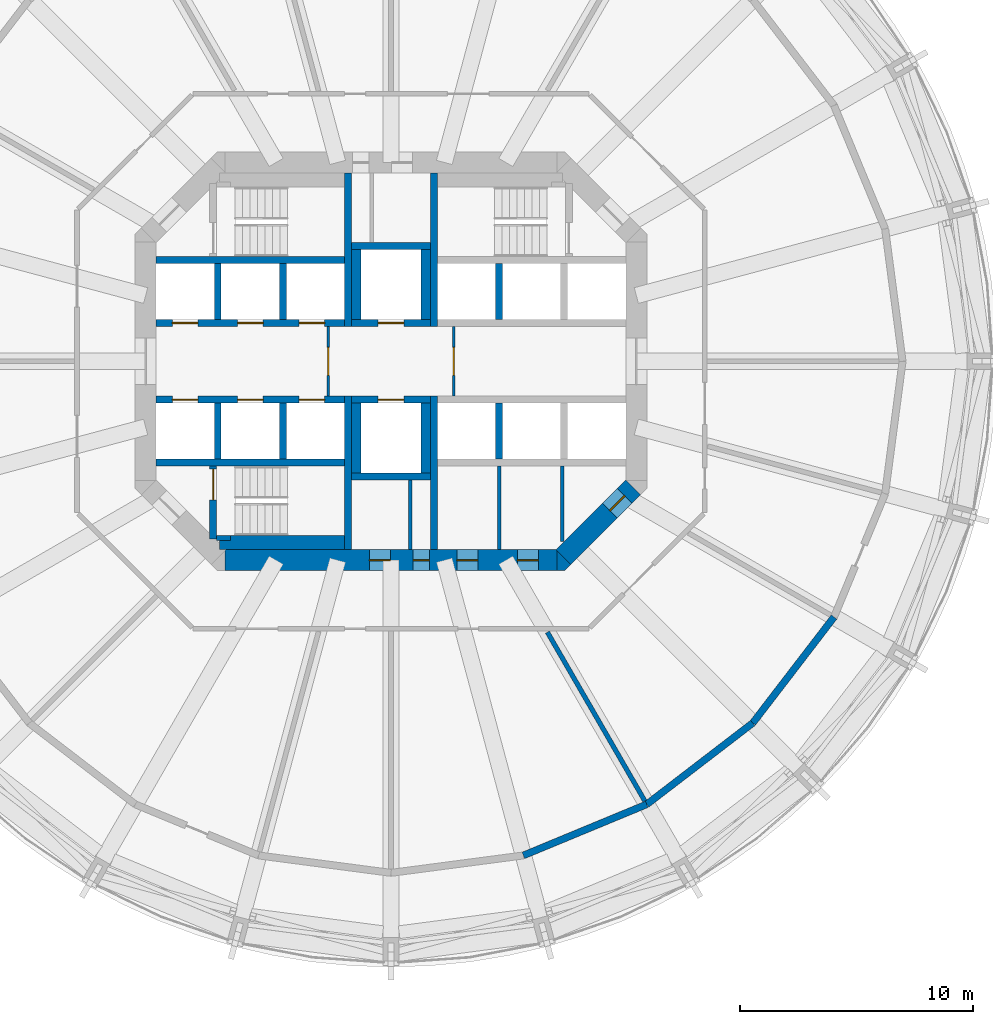
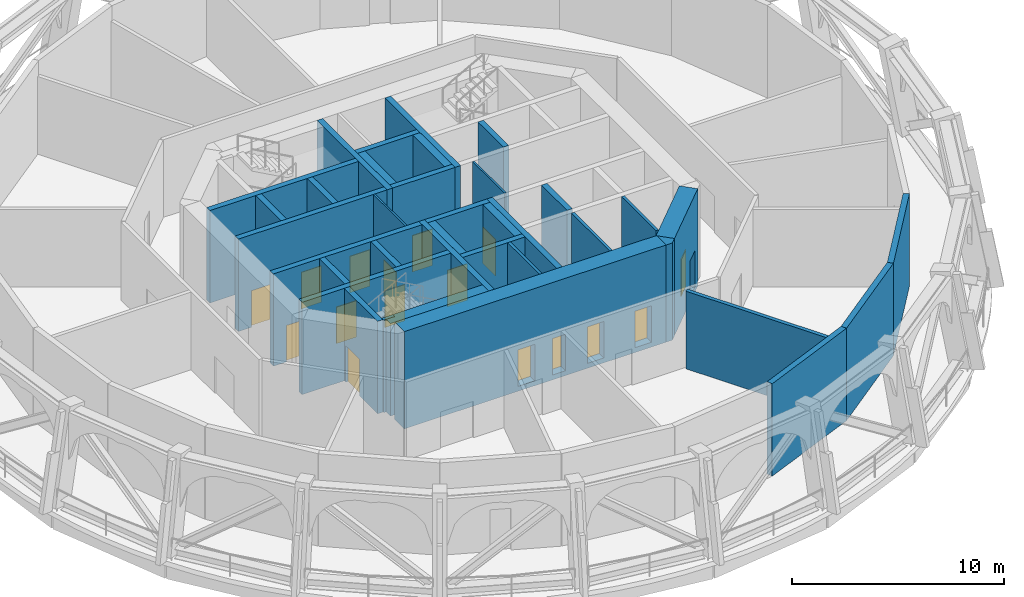
# One storey, part 4 of 9: 37 walls, 16 doors, 16 openings.
"""IFC4 building model written with IfcOpenShell, lengths in metres."""

from ifc_helpers import new_model, si_unit, direction, frame, frame_2d, origin, place, context, subcontext, project, spatial, polyline, rectangle, outline, extrude, material, layer, layer_set, type_object, element, fill, save


model = new_model("IFC4")

# Units and contexts
model_context = context("Model", 3, precision=1e-05, world=origin(), true_north=direction((0.0, 1.0)))
body_context = subcontext(model_context, "Body", "Model", "MODEL_VIEW")
ifc_project = project(units=[si_unit("LENGTHUNIT", "METRE"), si_unit("AREAUNIT", "SQUARE_METRE"), si_unit("VOLUMEUNIT", "CUBIC_METRE"), si_unit("PLANEANGLEUNIT", "RADIAN"), si_unit("MASSUNIT", "GRAM", prefix="KILO")], contexts=[model_context])

# Site, building, storey
site_placement = place(None, origin())
site = spatial("IfcSite", under=ifc_project, at=site_placement, CompositionType="ELEMENT")
building_placement = place(site_placement, origin())
building = spatial("IfcBuilding", under=site, at=building_placement, Name="Torre Triforio", CompositionType="ELEMENT")
storey_placement = place(building_placement, frame((0.0, 0.0, 110.60009765625)))
storey = spatial("IfcBuildingStorey", under=building, at=storey_placement, Name="L24", CompositionType="ELEMENT", Elevation=110.60009765625)

# Walls
ifc_material_1 = material(Name="Concrete C60", Category="concrete")
ifc_layer_1 = layer(ifc_material_1, 0.300048828125)
ifc_layer_set_1 = layer_set([ifc_layer_1], Name="Concrete C60")
wall_type_1 = type_object("IfcWallType", Name="Core wall 300 mm C60 EI 120", PredefinedType="SHEAR", material=ifc_layer_set_1)
for number, where, z_axis, x_axis, name in (
    (1, (-1.85009765625, 1.5, 0.0), (0.0, 0.0, 1.0), (0.0, 1.0, 0.0), "Core wall"),
    (2, (-1.85009765625, -8.10009765625, 0.0), (0.0, 0.0, 1.0), (0.0, 1.0, 0.0), "Core wall"),
    (3, (1.85009765625, 1.5, 0.0), (0.0, 0.0, 1.0), (0.0, 1.0, 0.0), "Core wall"),
    (4, (1.85009765625, -8.10009765625, 0.0), (0.0, 0.0, 1.0), (0.0, 1.0, 0.0), "Core wall"),
):
    element("IfcWall", number, at=place(storey_placement, frame(where, z_axis=z_axis, x_axis=x_axis)), inside=storey, type_object=wall_type_1, Name=name, PredefinedType="SHEAR", context=body_context, shape_type="SweptSolid", body=[
        extrude(rectangle(XDim=6.60009765625, YDim=0.300048828125, at=frame_2d((3.300048828125, 0.0))), origin(), (0.0, 0.0, 1.0), 5.31982421875),
    ])

# Wall, openings, doors
ifc_layer_2 = layer(ifc_material_1, 0.89990234375)
ifc_layer_set_2 = layer_set([ifc_layer_2], Name="Concrete C60")
wall_type_2 = type_object("IfcWallType", Name="Core wall 900 mm C60 EI 120", PredefinedType="SHEAR", material=ifc_layer_set_2)
wall_1_placement = place(storey_placement, frame((-7.1298828125, -8.550048828125, -0.280029296875), z_axis=(0.0, 0.0, 1.0), x_axis=(1.0, 0.0, 0.0)))
wall_1 = element("IfcWall", 5, at=wall_1_placement, inside=storey, type_object=wall_type_2, Name="Core wall", PredefinedType="SHEAR", context=body_context, shape_type="SweptSolid", body=[
    extrude(rectangle(XDim=14.259765625, YDim=0.89990234375, at=frame_2d((7.1298828125, 0.0))), origin(), (0.0, 0.0, 1.0), 5.599853515625),
])
opening_1_placement = place(wall_1_placement, frame((8.080078125, 0.0, 0.280029296875)))
opening_1 = element("IfcOpeningElement", 6, at=opening_1_placement, cuts=wall_1, Name="Opening RISER-S", PredefinedType="OPENING", context=body_context, shape_type="SweptSolid", body=[
    extrude(rectangle(XDim=0.699951171875, YDim=2.10009765625, at=frame_2d((0.35009765625, 1.050048828125))), frame((0.0, 0.4599609375, 0.0), z_axis=(0.0, -1.0, 0.0), x_axis=(1.0, 0.0, 0.0)), (0.0, 0.0, 1.0), 0.919921875),
])
opening_2_placement = place(wall_1_placement, frame((6.205078125, 0.0, 0.280029296875)))
opening_2 = element("IfcOpeningElement", 7, at=opening_2_placement, cuts=wall_1, Name="Opening SW-01", PredefinedType="OPENING", context=body_context, shape_type="SweptSolid", body=[
    extrude(rectangle(XDim=0.89990234375, YDim=2.10009765625, at=frame_2d((0.449951171875, 1.050048828125))), frame((0.0, 0.4599609375, 0.0), z_axis=(0.0, -1.0, 0.0), x_axis=(1.0, 0.0, 0.0)), (0.0, 0.0, 1.0), 0.919921875),
])
opening_3_placement = place(wall_1_placement, frame((9.967041015625, 0.0, 0.280029296875)))
opening_3 = element("IfcOpeningElement", 8, at=opening_3_placement, cuts=wall_1, Name="Opening SE-01", PredefinedType="OPENING", context=body_context, shape_type="SweptSolid", body=[
    extrude(rectangle(XDim=0.89990234375, YDim=2.10009765625, at=frame_2d((0.449951171875, 1.050048828125))), frame((0.0, 0.4599609375, 0.0), z_axis=(0.0, -1.0, 0.0), x_axis=(1.0, 0.0, 0.0)), (0.0, 0.0, 1.0), 0.919921875),
])
opening_4_placement = place(wall_1_placement, frame((12.56689453125, 0.0, 0.280029296875)))
opening_4 = element("IfcOpeningElement", 9, at=opening_4_placement, cuts=wall_1, Name="Opening SE-02A", PredefinedType="OPENING", context=body_context, shape_type="SweptSolid", body=[
    extrude(rectangle(XDim=0.89990234375, YDim=2.10009765625, at=frame_2d((0.449951171875, 1.050048828125))), frame((0.0, 0.4599609375, 0.0), z_axis=(0.0, -1.0, 0.0), x_axis=(1.0, 0.0, 0.0)), (0.0, 0.0, 1.0), 0.919921875),
])
ifc_material_2 = material(Name="Hollow metal fire door leaf")
door_type_1 = type_object("IfcDoorType", Name="Plant room door 900 x 2100 EI 60", OperationType="NOTDEFINED", PredefinedType="DOOR", material=ifc_material_2)
door_1_placement = place(opening_2_placement, origin())
door_1 = element("IfcDoor", 10, at=door_1_placement, inside=storey, type_object=door_type_1, Name="Core door SW-01", OperationType="SINGLE_SWING_LEFT", OverallHeight=2.10009765625, OverallWidth=0.89990234375, PredefinedType="DOOR", context=body_context, shape_type="SweptSolid", body=[
    extrude(rectangle(XDim=0.89990234375, YDim=2.10009765625, at=frame_2d((0.449951171875, 1.050048828125))), frame((0.0, 0.02490234375, 0.0), z_axis=(0.0, -1.0, 0.0), x_axis=(1.0, 0.0, 0.0)), (0.0, 0.0, 1.0), 0.050048828125),
])
fill(opening_2, door_1)
door_2_placement = place(opening_3_placement, origin())
door_2 = element("IfcDoor", 11, at=door_2_placement, inside=storey, type_object=door_type_1, Name="Core door SE-01", OperationType="SINGLE_SWING_LEFT", OverallHeight=2.10009765625, OverallWidth=0.89990234375, PredefinedType="DOOR", context=body_context, shape_type="SweptSolid", body=[
    extrude(rectangle(XDim=0.89990234375, YDim=2.10009765625, at=frame_2d((0.449951171875, 1.050048828125))), frame((0.0, 0.02490234375, 0.0), z_axis=(0.0, -1.0, 0.0), x_axis=(1.0, 0.0, 0.0)), (0.0, 0.0, 1.0), 0.050048828125),
])
fill(opening_3, door_2)
door_3_placement = place(opening_4_placement, origin())
door_3 = element("IfcDoor", 12, at=door_3_placement, inside=storey, type_object=door_type_1, Name="Core door SE-02", OperationType="SINGLE_SWING_LEFT", OverallHeight=2.10009765625, OverallWidth=0.89990234375, PredefinedType="DOOR", context=body_context, shape_type="SweptSolid", body=[
    extrude(rectangle(XDim=0.89990234375, YDim=2.10009765625, at=frame_2d((0.449951171875, 1.050048828125))), frame((0.0, 0.02490234375, 0.0), z_axis=(0.0, -1.0, 0.0), x_axis=(1.0, 0.0, 0.0)), (0.0, 0.0, 1.0), 0.050048828125),
])
fill(opening_4, door_3)
door_type_2 = type_object("IfcDoorType", Name="Riser door 700 x 2100 EI 60", OperationType="NOTDEFINED", PredefinedType="DOOR", material=ifc_material_2)
door_4_placement = place(opening_1_placement, origin())
door_4 = element("IfcDoor", 13, at=door_4_placement, inside=storey, type_object=door_type_2, Name="Core door RISER-S", OperationType="SINGLE_SWING_RIGHT", OverallHeight=2.10009765625, OverallWidth=0.699951171875, PredefinedType="DOOR", context=body_context, shape_type="SweptSolid", body=[
    extrude(rectangle(XDim=0.699951171875, YDim=2.10009765625, at=frame_2d((0.35009765625, 1.050048828125))), frame((0.0, 0.02490234375, 0.0), z_axis=(0.0, -1.0, 0.0), x_axis=(1.0, 0.0, 0.0)), (0.0, 0.0, 1.0), 0.050048828125),
])
fill(opening_1, door_4)

# Wall, opening, door
wall_2_placement = place(storey_placement, frame((10.418212890625, -5.418212890625, -0.280029296875), z_axis=(0.0, 0.0, 1.0), x_axis=(-0.707106781187, -0.707106781187, 0.0)))
wall_2 = element("IfcWall", 14, at=wall_2_placement, inside=storey, type_object=wall_type_2, Name="Core wall", PredefinedType="SHEAR", context=body_context, shape_type="SweptSolid", body=[
    extrude(rectangle(XDim=4.24267578125, YDim=0.89990234375, at=frame_2d((2.121337890625, 0.0))), origin(), (0.0, 0.0, 1.0), 5.599853515625),
])
opening_5_placement = place(wall_2_placement, frame((0.52001953125, 0.0, 0.280029296875)))
opening_5 = element("IfcOpeningElement", 15, at=opening_5_placement, cuts=wall_2, Name="Opening SE-03A", PredefinedType="OPENING", context=body_context, shape_type="SweptSolid", body=[
    extrude(rectangle(XDim=0.89990234375, YDim=2.10009765625, at=frame_2d((0.449951171875, 1.050048828125))), frame((0.0, 0.4599609375, 0.0), z_axis=(0.0, -1.0, 0.0), x_axis=(1.0, 0.0, 0.0)), (0.0, 0.0, 1.0), 0.919921875),
])
door_5_placement = place(opening_5_placement, origin())
door_5 = element("IfcDoor", 16, at=door_5_placement, inside=storey, type_object=door_type_1, Name="Core door SE-03", OperationType="SINGLE_SWING_RIGHT", OverallHeight=2.10009765625, OverallWidth=0.89990234375, PredefinedType="DOOR", context=body_context, shape_type="SweptSolid", body=[
    extrude(rectangle(XDim=0.89990234375, YDim=2.10009765625, at=frame_2d((0.449951171875, 1.050048828125))), frame((0.0, 0.02490234375, 0.0), z_axis=(0.0, -1.0, 0.0), x_axis=(1.0, 0.0, 0.0)), (0.0, 0.0, 1.0), 0.050048828125),
])
fill(opening_5, door_5)

# Walls
wall_3_placement = place(storey_placement, frame((0.0, 0.0, -0.280029296875)))
element("IfcWall", 17, at=wall_3_placement, inside=storey, type_object=wall_type_2, Name="Core wall", PredefinedType="SHEAR", context=body_context, shape_type="SweptSolid", body=[
    extrude(outline(polyline([(7.472900390625, -9.0), (7.1298828125, -9.0), (7.1298828125, -8.1298828125), (7.736328125, -8.736328125), (7.472900390625, -9.0)])), origin(), (0.0, 0.0, 1.0), 5.599853515625),
])
ifc_material_3 = material(Name="Aluminium louvre blades", Category="aluminium")
ifc_layer_3 = layer(ifc_material_3, 0.300048828125)
ifc_layer_set_3 = layer_set([ifc_layer_3], Name="Aluminium louvre blades")
wall_type_3 = type_object("IfcWallType", Name="Louvred enclosure wall 300", PredefinedType="STANDARD", material=ifc_layer_set_3)
for number, where, z_axis, x_axis, name in (
    (18, (5.694091796875, -21.25048828125, 0.0), (0.0, 0.0, 1.0), (0.923866055759, 0.382715966503, 0.0), "Louvred enclosure L24 bay 20"),
    (19, (11.0, -19.052490234375, 0.0), (0.0, 0.0, 1.0), (0.793366142647, 0.608744744291, 0.0), "Louvred enclosure L24 bay 21"),
    (20, (15.556396484375, -15.556396484375, 0.0), (0.0, 0.0, 1.0), (0.608744744291, 0.793366142647, 0.0), "Louvred enclosure L24 bay 22"),
):
    element("IfcWall", number, at=place(storey_placement, frame(where, z_axis=z_axis, x_axis=x_axis)), inside=storey, type_object=wall_type_3, Name=name, PredefinedType="STANDARD", context=body_context, shape_type="SweptSolid", body=[
        extrude(rectangle(XDim=5.7431640625, YDim=0.300048828125, at=frame_2d((2.87158203125, 0.0))), origin(), (0.0, 0.0, 1.0), 5.31982421875),
    ])

# Wall, opening, door
ifc_material_4 = material(Name="Block and board partition")
ifc_layer_4 = layer(ifc_material_4, 0.10009765625)
ifc_layer_set_4 = layer_set([ifc_layer_4], Name="Block and board partition")
wall_type_4 = type_object("IfcWallType", Name="Partition 100 mm EI 120", PredefinedType="PARTITIONING", material=ifc_layer_set_4)
wall_4_placement = place(storey_placement, frame((-2.699951171875, -1.5, 0.0), z_axis=(0.0, 0.0, 1.0), x_axis=(0.0, 1.0, 0.0)))
wall_4 = element("IfcWall", 21, at=wall_4_placement, inside=storey, type_object=wall_type_4, Name="Partition", PredefinedType="PARTITIONING", context=body_context, shape_type="SweptSolid", body=[
    extrude(rectangle(XDim=3.0, YDim=0.10009765625, at=frame_2d((1.5, 0.0))), origin(), (0.0, 0.0, 1.0), 5.31982421875),
])
opening_6_placement = place(wall_4_placement, frame((0.89990234375, 0.0, 0.0)))
opening_6 = element("IfcOpeningElement", 22, at=opening_6_placement, cuts=wall_4, Name="Opening FF-W", PredefinedType="OPENING", context=body_context, shape_type="SweptSolid", body=[
    extrude(rectangle(XDim=1.199951171875, YDim=2.10009765625, at=frame_2d((0.60009765625, 1.050048828125))), frame((0.0, 0.06005859375, 0.0), z_axis=(0.0, -1.0, 0.0), x_axis=(1.0, 0.0, 0.0)), (0.0, 0.0, 1.0), 0.1201171875),
])
door_type_3 = type_object("IfcDoorType", Name="Fire-fighting lobby door 1200 x 2100 EI 60", OperationType="NOTDEFINED", PredefinedType="DOOR", material=ifc_material_2)
door_6_placement = place(opening_6_placement, origin())
door_6 = element("IfcDoor", 23, at=door_6_placement, inside=storey, type_object=door_type_3, Name="Core door FF-W", OperationType="SINGLE_SWING_LEFT", OverallHeight=2.10009765625, OverallWidth=1.199951171875, PredefinedType="DOOR", context=body_context, shape_type="SweptSolid", body=[
    extrude(rectangle(XDim=1.199951171875, YDim=2.10009765625, at=frame_2d((0.60009765625, 1.050048828125))), frame((0.0, 0.02490234375, 0.0), z_axis=(0.0, -1.0, 0.0), x_axis=(1.0, 0.0, 0.0)), (0.0, 0.0, 1.0), 0.050048828125),
])
fill(opening_6, door_6)

wall_5_placement = place(storey_placement, frame((2.699951171875, -1.5, 0.0), z_axis=(0.0, 0.0, 1.0), x_axis=(0.0, 1.0, 0.0)))
wall_5 = element("IfcWall", 24, at=wall_5_placement, inside=storey, type_object=wall_type_4, Name="Partition", PredefinedType="PARTITIONING", context=body_context, shape_type="SweptSolid", body=[
    extrude(rectangle(XDim=3.0, YDim=0.10009765625, at=frame_2d((1.5, 0.0))), origin(), (0.0, 0.0, 1.0), 5.31982421875),
])
opening_7_placement = place(wall_5_placement, frame((0.89990234375, 0.0, 0.0)))
opening_7 = element("IfcOpeningElement", 25, at=opening_7_placement, cuts=wall_5, Name="Opening FF-E", PredefinedType="OPENING", context=body_context, shape_type="SweptSolid", body=[
    extrude(rectangle(XDim=1.199951171875, YDim=2.10009765625, at=frame_2d((0.60009765625, 1.050048828125))), frame((0.0, 0.06005859375, 0.0), z_axis=(0.0, -1.0, 0.0), x_axis=(1.0, 0.0, 0.0)), (0.0, 0.0, 1.0), 0.1201171875),
])
door_7_placement = place(opening_7_placement, origin())
door_7 = element("IfcDoor", 26, at=door_7_placement, inside=storey, type_object=door_type_3, Name="Core door FF-E", OperationType="SINGLE_SWING_LEFT", OverallHeight=2.10009765625, OverallWidth=1.199951171875, PredefinedType="DOOR", context=body_context, shape_type="SweptSolid", body=[
    extrude(rectangle(XDim=1.199951171875, YDim=2.10009765625, at=frame_2d((0.60009765625, 1.050048828125))), frame((0.0, 0.02490234375, 0.0), z_axis=(0.0, -1.0, 0.0), x_axis=(1.0, 0.0, 0.0)), (0.0, 0.0, 1.0), 0.050048828125),
])
fill(opening_7, door_7)

# Walls
ifc_layer_5 = layer(ifc_material_4, 0.14990234375)
ifc_layer_set_5 = layer_set([ifc_layer_5], Name="Block and board partition")
wall_type_5 = type_object("IfcWallType", Name="Partition 150 mm", PredefinedType="PARTITIONING", material=ifc_layer_set_5)
wall_6_placement = place(storey_placement, frame((4.64892578125, -8.10009765625, 0.0), z_axis=(0.0, 0.0, 1.0), x_axis=(0.0, 1.0, 0.0)))
element("IfcWall", 27, at=wall_6_placement, inside=storey, type_object=wall_type_5, Name="Partition", PredefinedType="PARTITIONING", context=body_context, shape_type="SweptSolid", body=[
    extrude(rectangle(XDim=3.60009765625, YDim=0.14990234375, at=frame_2d((1.800048828125, 0.0))), origin(), (0.0, 0.0, 1.0), 5.31982421875),
])
wall_7_placement = place(storey_placement, frame((7.373046875, -7.751953125, 0.0), z_axis=(0.0, 0.0, 1.0), x_axis=(0.0, 1.0, 0.0)))
element("IfcWall", 28, at=wall_7_placement, inside=storey, type_object=wall_type_5, Name="Partition", PredefinedType="PARTITIONING", context=body_context, shape_type="SweptSolid", body=[
    extrude(rectangle(XDim=3.251953125, YDim=0.14990234375, at=frame_2d((1.6259765625, 0.0))), origin(), (0.0, 0.0, 1.0), 5.31982421875),
])
ifc_layer_6 = layer(ifc_material_4, 0.14990234375)
ifc_layer_set_6 = layer_set([ifc_layer_6], Name="Block and board partition")
wall_type_6 = type_object("IfcWallType", Name="Partition 150 mm EI 120", PredefinedType="PARTITIONING", material=ifc_layer_set_6)
wall_8_placement = place(storey_placement, frame((0.824951171875, -8.10009765625, 0.0), z_axis=(0.0, 0.0, 1.0), x_axis=(0.0, 1.0, 0.0)))
element("IfcWall", 29, at=wall_8_placement, inside=storey, type_object=wall_type_6, Name="Partition", PredefinedType="PARTITIONING", context=body_context, shape_type="SweptSolid", body=[
    extrude(rectangle(XDim=3.0, YDim=0.14990234375, at=frame_2d((1.5, 0.0))), origin(), (0.0, 0.0, 1.0), 5.31982421875),
])
ifc_material_5 = material(Name="Masonry block", Category="masonry")
ifc_layer_7 = layer(ifc_material_5, 0.199951171875)
ifc_layer_set_7 = layer_set([ifc_layer_7], Name="Masonry block")
wall_type_7 = type_object("IfcWallType", Name="Plant room wall 200 mm block EI 120", PredefinedType="PARTITIONING", material=ifc_layer_set_7)
wall_9_placement = place(storey_placement, frame((6.725830078125, -11.6494140625, 0.0), z_axis=(0.0, 0.0, 1.0), x_axis=(0.500006411147, -0.866021702275, 0.0)))
element("IfcWall", 30, at=wall_9_placement, inside=storey, type_object=wall_type_7, Name="Partition 19", PredefinedType="PARTITIONING", context=body_context, shape_type="SweptSolid", body=[
    extrude(rectangle(XDim=8.38525390625, YDim=0.199951171875, at=frame_2d((4.192626953125, 0.0))), origin(), (0.0, 0.0, 1.0), 4.469970703125),
])
ifc_layer_8 = layer(ifc_material_1, 0.300048828125)
ifc_layer_set_8 = layer_set([ifc_layer_8], Name="Concrete C60")
wall_type_8 = type_object("IfcWallType", Name="Shaft wall 300 mm C60 EI 120", PredefinedType="SOLIDWALL", material=ifc_layer_set_8)
for number, where, z_axis, x_axis, name in (
    (31, (-10.10009765625, 4.35009765625, 0.0), (0.0, 0.0, 1.0), (1.0, 0.0, 0.0), "Shaft wall"),
    (32, (-10.10009765625, -4.35009765625, 0.0), (0.0, 0.0, 1.0), (1.0, 0.0, 0.0), "Shaft wall"),
):
    element("IfcWall", number, at=place(storey_placement, frame(where, z_axis=z_axis, x_axis=x_axis)), inside=storey, type_object=wall_type_8, Name=name, PredefinedType="SOLIDWALL", context=body_context, shape_type="SweptSolid", body=[
        extrude(rectangle(XDim=8.10009765625, YDim=0.300048828125, at=frame_2d((4.050048828125, 0.0))), origin(), (0.0, 0.0, 1.0), 5.31982421875),
    ])

# Wall, openings, doors
wall_10_placement = place(storey_placement, frame((-10.10009765625, 1.64990234375, 0.0), z_axis=(0.0, 0.0, 1.0), x_axis=(1.0, 0.0, 0.0)))
wall_10 = element("IfcWall", 33, at=wall_10_placement, inside=storey, type_object=wall_type_8, Name="Shaft wall", PredefinedType="SOLIDWALL", context=body_context, shape_type="SweptSolid", body=[
    extrude(rectangle(XDim=8.10009765625, YDim=0.300048828125, at=frame_2d((4.050048828125, 0.0))), origin(), (0.0, 0.0, 1.0), 5.31982421875),
])
opening_8_placement = place(wall_10_placement, frame((0.699951171875, 0.0, 0.0)))
opening_8 = element("IfcOpeningElement", 34, at=opening_8_placement, cuts=wall_10, Name="Opening LD", PredefinedType="OPENING", context=body_context, shape_type="SweptSolid", body=[
    extrude(rectangle(XDim=1.10009765625, YDim=2.10009765625, at=frame_2d((0.550048828125, 1.050048828125))), frame((0.0, 0.159912109375, 0.0), z_axis=(0.0, -1.0, 0.0), x_axis=(1.0, 0.0, 0.0)), (0.0, 0.0, 1.0), 0.320068359375),
])
opening_9_placement = place(wall_10_placement, frame((3.5, 0.0, 0.0)))
opening_9 = element("IfcOpeningElement", 35, at=opening_9_placement, cuts=wall_10, Name="Opening LD", PredefinedType="OPENING", context=body_context, shape_type="SweptSolid", body=[
    extrude(rectangle(XDim=1.10009765625, YDim=2.10009765625, at=frame_2d((0.550048828125, 1.050048828125))), frame((0.0, 0.159912109375, 0.0), z_axis=(0.0, -1.0, 0.0), x_axis=(1.0, 0.0, 0.0)), (0.0, 0.0, 1.0), 0.320068359375),
])
opening_10_placement = place(wall_10_placement, frame((6.14990234375, 0.0, 0.0)))
opening_10 = element("IfcOpeningElement", 36, at=opening_10_placement, cuts=wall_10, Name="Opening LD", PredefinedType="OPENING", context=body_context, shape_type="SweptSolid", body=[
    extrude(rectangle(XDim=1.10009765625, YDim=2.10009765625, at=frame_2d((0.550048828125, 1.050048828125))), frame((0.0, 0.159912109375, 0.0), z_axis=(0.0, -1.0, 0.0), x_axis=(1.0, 0.0, 0.0)), (0.0, 0.0, 1.0), 0.320068359375),
])
door_type_4 = type_object("IfcDoorType", Name="Landing door 1100 x 2100 EI 60", OperationType="DOUBLE_DOOR_SLIDING", PredefinedType="DOOR", material=ifc_material_2)
door_8_placement = place(opening_8_placement, origin())
door_8 = element("IfcDoor", 37, at=door_8_placement, inside=storey, type_object=door_type_4, Name="Landing door LR1", OperationType="DOUBLE_DOOR_SLIDING", OverallHeight=2.10009765625, OverallWidth=1.10009765625, PredefinedType="DOOR", context=body_context, shape_type="SweptSolid", body=[
    extrude(rectangle(XDim=1.10009765625, YDim=2.10009765625, at=frame_2d((0.550048828125, 1.050048828125))), frame((0.0, 0.02490234375, 0.0), z_axis=(0.0, -1.0, 0.0), x_axis=(1.0, 0.0, 0.0)), (0.0, 0.0, 1.0), 0.050048828125),
])
fill(opening_8, door_8)
door_9_placement = place(opening_9_placement, origin())
door_9 = element("IfcDoor", 38, at=door_9_placement, inside=storey, type_object=door_type_4, Name="Landing door LR2", OperationType="DOUBLE_DOOR_SLIDING", OverallHeight=2.10009765625, OverallWidth=1.10009765625, PredefinedType="DOOR", context=body_context, shape_type="SweptSolid", body=[
    extrude(rectangle(XDim=1.10009765625, YDim=2.10009765625, at=frame_2d((0.550048828125, 1.050048828125))), frame((0.0, 0.02490234375, 0.0), z_axis=(0.0, -1.0, 0.0), x_axis=(1.0, 0.0, 0.0)), (0.0, 0.0, 1.0), 0.050048828125),
])
fill(opening_9, door_9)
door_10_placement = place(opening_10_placement, origin())
door_10 = element("IfcDoor", 39, at=door_10_placement, inside=storey, type_object=door_type_4, Name="Landing door LR3", OperationType="DOUBLE_DOOR_SLIDING", OverallHeight=2.10009765625, OverallWidth=1.10009765625, PredefinedType="DOOR", context=body_context, shape_type="SweptSolid", body=[
    extrude(rectangle(XDim=1.10009765625, YDim=2.10009765625, at=frame_2d((0.550048828125, 1.050048828125))), frame((0.0, 0.02490234375, 0.0), z_axis=(0.0, -1.0, 0.0), x_axis=(1.0, 0.0, 0.0)), (0.0, 0.0, 1.0), 0.050048828125),
])
fill(opening_10, door_10)

wall_11_placement = place(storey_placement, frame((-10.10009765625, -1.64990234375, 0.0), z_axis=(0.0, 0.0, 1.0), x_axis=(1.0, 0.0, 0.0)))
wall_11 = element("IfcWall", 40, at=wall_11_placement, inside=storey, type_object=wall_type_8, Name="Shaft wall", PredefinedType="SOLIDWALL", context=body_context, shape_type="SweptSolid", body=[
    extrude(rectangle(XDim=8.10009765625, YDim=0.300048828125, at=frame_2d((4.050048828125, 0.0))), origin(), (0.0, 0.0, 1.0), 5.31982421875),
])
opening_11_placement = place(wall_11_placement, frame((0.699951171875, 0.0, 0.0)))
opening_11 = element("IfcOpeningElement", 41, at=opening_11_placement, cuts=wall_11, Name="Opening LD", PredefinedType="OPENING", context=body_context, shape_type="SweptSolid", body=[
    extrude(rectangle(XDim=1.10009765625, YDim=2.10009765625, at=frame_2d((0.550048828125, 1.050048828125))), frame((0.0, 0.159912109375, 0.0), z_axis=(0.0, -1.0, 0.0), x_axis=(1.0, 0.0, 0.0)), (0.0, 0.0, 1.0), 0.320068359375),
])
opening_12_placement = place(wall_11_placement, frame((3.5, 0.0, 0.0)))
opening_12 = element("IfcOpeningElement", 42, at=opening_12_placement, cuts=wall_11, Name="Opening LD", PredefinedType="OPENING", context=body_context, shape_type="SweptSolid", body=[
    extrude(rectangle(XDim=1.10009765625, YDim=2.10009765625, at=frame_2d((0.550048828125, 1.050048828125))), frame((0.0, 0.159912109375, 0.0), z_axis=(0.0, -1.0, 0.0), x_axis=(1.0, 0.0, 0.0)), (0.0, 0.0, 1.0), 0.320068359375),
])
opening_13_placement = place(wall_11_placement, frame((6.14990234375, 0.0, 0.0)))
opening_13 = element("IfcOpeningElement", 43, at=opening_13_placement, cuts=wall_11, Name="Opening LD", PredefinedType="OPENING", context=body_context, shape_type="SweptSolid", body=[
    extrude(rectangle(XDim=1.10009765625, YDim=2.10009765625, at=frame_2d((0.550048828125, 1.050048828125))), frame((0.0, 0.159912109375, 0.0), z_axis=(0.0, -1.0, 0.0), x_axis=(1.0, 0.0, 0.0)), (0.0, 0.0, 1.0), 0.320068359375),
])
door_11_placement = place(opening_11_placement, origin())
door_11 = element("IfcDoor", 44, at=door_11_placement, inside=storey, type_object=door_type_4, Name="Landing door LR4", OperationType="DOUBLE_DOOR_SLIDING", OverallHeight=2.10009765625, OverallWidth=1.10009765625, PredefinedType="DOOR", context=body_context, shape_type="SweptSolid", body=[
    extrude(rectangle(XDim=1.10009765625, YDim=2.10009765625, at=frame_2d((0.550048828125, 1.050048828125))), frame((0.0, 0.02490234375, 0.0), z_axis=(0.0, -1.0, 0.0), x_axis=(1.0, 0.0, 0.0)), (0.0, 0.0, 1.0), 0.050048828125),
])
fill(opening_11, door_11)
door_12_placement = place(opening_12_placement, origin())
door_12 = element("IfcDoor", 45, at=door_12_placement, inside=storey, type_object=door_type_4, Name="Landing door LR5", OperationType="DOUBLE_DOOR_SLIDING", OverallHeight=2.10009765625, OverallWidth=1.10009765625, PredefinedType="DOOR", context=body_context, shape_type="SweptSolid", body=[
    extrude(rectangle(XDim=1.10009765625, YDim=2.10009765625, at=frame_2d((0.550048828125, 1.050048828125))), frame((0.0, 0.02490234375, 0.0), z_axis=(0.0, -1.0, 0.0), x_axis=(1.0, 0.0, 0.0)), (0.0, 0.0, 1.0), 0.050048828125),
])
fill(opening_12, door_12)
door_13_placement = place(opening_13_placement, origin())
door_13 = element("IfcDoor", 46, at=door_13_placement, inside=storey, type_object=door_type_4, Name="Landing door LR6", OperationType="DOUBLE_DOOR_SLIDING", OverallHeight=2.10009765625, OverallWidth=1.10009765625, PredefinedType="DOOR", context=body_context, shape_type="SweptSolid", body=[
    extrude(rectangle(XDim=1.10009765625, YDim=2.10009765625, at=frame_2d((0.550048828125, 1.050048828125))), frame((0.0, 0.02490234375, 0.0), z_axis=(0.0, -1.0, 0.0), x_axis=(1.0, 0.0, 0.0)), (0.0, 0.0, 1.0), 0.050048828125),
])
fill(opening_13, door_13)

# Walls
for number, where, z_axis, x_axis, name in (
    (47, (-7.449951171875, 1.800048828125, 0.0), (0.0, 0.0, 1.0), (0.0, 1.0, 0.0), "Shaft wall"),
    (48, (-7.449951171875, -4.199951171875, 0.0), (0.0, 0.0, 1.0), (0.0, 1.0, 0.0), "Shaft wall"),
    (49, (-4.64990234375, 1.800048828125, 0.0), (0.0, 0.0, 1.0), (0.0, 1.0, 0.0), "Shaft wall"),
    (50, (-4.64990234375, -4.199951171875, 0.0), (0.0, 0.0, 1.0), (0.0, 1.0, 0.0), "Shaft wall"),
    (51, (4.64990234375, 1.800048828125, 0.0), (0.0, 0.0, 1.0), (0.0, 1.0, 0.0), "Shaft wall"),
    (52, (4.64990234375, -4.199951171875, 0.0), (0.0, 0.0, 1.0), (0.0, 1.0, 0.0), "Shaft wall"),
):
    element("IfcWall", number, at=place(storey_placement, frame(where, z_axis=z_axis, x_axis=x_axis)), inside=storey, type_object=wall_type_8, Name=name, PredefinedType="SOLIDWALL", context=body_context, shape_type="SweptSolid", body=[
        extrude(rectangle(XDim=2.39990234375, YDim=0.300048828125, at=frame_2d((1.199951171875, 0.0))), origin(), (0.0, 0.0, 1.0), 5.31982421875),
    ])

# Wall, opening, door
wall_12_placement = place(storey_placement, frame((-1.699951171875, 1.64990234375, 0.0), z_axis=(0.0, 0.0, 1.0), x_axis=(1.0, 0.0, 0.0)))
wall_12 = element("IfcWall", 53, at=wall_12_placement, inside=storey, type_object=wall_type_8, Name="Shaft wall", PredefinedType="SOLIDWALL", context=body_context, shape_type="SweptSolid", body=[
    extrude(rectangle(XDim=3.39990234375, YDim=0.300048828125, at=frame_2d((1.699951171875, 0.0))), origin(), (0.0, 0.0, 1.0), 5.31982421875),
])
opening_14_placement = place(wall_12_placement, frame((1.14990234375, 0.0, 0.0)))
opening_14 = element("IfcOpeningElement", 54, at=opening_14_placement, cuts=wall_12, Name="Opening LD", PredefinedType="OPENING", context=body_context, shape_type="SweptSolid", body=[
    extrude(rectangle(XDim=1.10009765625, YDim=2.10009765625, at=frame_2d((0.550048828125, 1.050048828125))), frame((0.0, 0.159912109375, 0.0), z_axis=(0.0, -1.0, 0.0), x_axis=(1.0, 0.0, 0.0)), (0.0, 0.0, 1.0), 0.320068359375),
])
door_14_placement = place(opening_14_placement, origin())
door_14 = element("IfcDoor", 55, at=door_14_placement, inside=storey, type_object=door_type_4, Name="Landing door FFL1", OperationType="DOUBLE_DOOR_SLIDING", OverallHeight=2.10009765625, OverallWidth=1.10009765625, PredefinedType="DOOR", context=body_context, shape_type="SweptSolid", body=[
    extrude(rectangle(XDim=1.10009765625, YDim=2.10009765625, at=frame_2d((0.550048828125, 1.050048828125))), frame((0.0, 0.02490234375, 0.0), z_axis=(0.0, -1.0, 0.0), x_axis=(1.0, 0.0, 0.0)), (0.0, 0.0, 1.0), 0.050048828125),
])
fill(opening_14, door_14)

wall_13_placement = place(storey_placement, frame((-1.699951171875, -1.64990234375, 0.0), z_axis=(0.0, 0.0, 1.0), x_axis=(1.0, 0.0, 0.0)))
wall_13 = element("IfcWall", 56, at=wall_13_placement, inside=storey, type_object=wall_type_8, Name="Shaft wall", PredefinedType="SOLIDWALL", context=body_context, shape_type="SweptSolid", body=[
    extrude(rectangle(XDim=3.39990234375, YDim=0.300048828125, at=frame_2d((1.699951171875, 0.0))), origin(), (0.0, 0.0, 1.0), 5.31982421875),
])
opening_15_placement = place(wall_13_placement, frame((1.14990234375, 0.0, 0.0)))
opening_15 = element("IfcOpeningElement", 57, at=opening_15_placement, cuts=wall_13, Name="Opening LD", PredefinedType="OPENING", context=body_context, shape_type="SweptSolid", body=[
    extrude(rectangle(XDim=1.10009765625, YDim=2.10009765625, at=frame_2d((0.550048828125, 1.050048828125))), frame((0.0, 0.159912109375, 0.0), z_axis=(0.0, -1.0, 0.0), x_axis=(1.0, 0.0, 0.0)), (0.0, 0.0, 1.0), 0.320068359375),
])
door_15_placement = place(opening_15_placement, origin())
door_15 = element("IfcDoor", 58, at=door_15_placement, inside=storey, type_object=door_type_4, Name="Landing door FFL2", OperationType="DOUBLE_DOOR_SLIDING", OverallHeight=2.10009765625, OverallWidth=1.10009765625, PredefinedType="DOOR", context=body_context, shape_type="SweptSolid", body=[
    extrude(rectangle(XDim=1.10009765625, YDim=2.10009765625, at=frame_2d((0.550048828125, 1.050048828125))), frame((0.0, 0.02490234375, 0.0), z_axis=(0.0, -1.0, 0.0), x_axis=(1.0, 0.0, 0.0)), (0.0, 0.0, 1.0), 0.050048828125),
])
fill(opening_15, door_15)

# Walls
for number, where, z_axis, x_axis, name in (
    (59, (-1.699951171875, 4.949951171875, 0.0), (0.0, 0.0, 1.0), (1.0, 0.0, 0.0), "Shaft wall"),
    (60, (-1.699951171875, -4.949951171875, 0.0), (0.0, 0.0, 1.0), (1.0, 0.0, 0.0), "Shaft wall"),
):
    element("IfcWall", number, at=place(storey_placement, frame(where, z_axis=z_axis, x_axis=x_axis)), inside=storey, type_object=wall_type_8, Name=name, PredefinedType="SOLIDWALL", context=body_context, shape_type="SweptSolid", body=[
        extrude(rectangle(XDim=3.39990234375, YDim=0.300048828125, at=frame_2d((1.699951171875, 0.0))), origin(), (0.0, 0.0, 1.0), 5.31982421875),
    ])
ifc_layer_9 = layer(ifc_material_1, 0.39990234375)
ifc_layer_set_9 = layer_set([ifc_layer_9], Name="Concrete C60")
wall_type_9 = type_object("IfcWallType", Name="Shaft wall 400 mm C60 EI 120", PredefinedType="SOLIDWALL", material=ifc_layer_set_9)
for number, where, z_axis, x_axis, name in (
    (61, (-1.5, 1.800048828125, 0.0), (0.0, 0.0, 1.0), (0.0, 1.0, 0.0), "Shaft wall"),
    (62, (-1.5, -4.800048828125, 0.0), (0.0, 0.0, 1.0), (0.0, 1.0, 0.0), "Shaft wall"),
    (63, (1.5, 1.800048828125, 0.0), (0.0, 0.0, 1.0), (0.0, 1.0, 0.0), "Shaft wall"),
    (64, (1.5, -4.800048828125, 0.0), (0.0, 0.0, 1.0), (0.0, 1.0, 0.0), "Shaft wall"),
):
    element("IfcWall", number, at=place(storey_placement, frame(where, z_axis=z_axis, x_axis=x_axis)), inside=storey, type_object=wall_type_9, Name=name, PredefinedType="SOLIDWALL", context=body_context, shape_type="SweptSolid", body=[
        extrude(rectangle(XDim=3.0, YDim=0.39990234375, at=frame_2d((1.5, 0.0))), origin(), (0.0, 0.0, 1.0), 5.31982421875),
    ])
ifc_layer_10 = layer(ifc_material_1, 0.199951171875)
ifc_layer_set_10 = layer_set([ifc_layer_10], Name="Concrete C60")
wall_type_10 = type_object("IfcWallType", Name="Stair wall 200 mm C60 EI 120", PredefinedType="SHEAR", material=ifc_layer_set_10)
wall_14_placement = place(storey_placement, frame((-7.5, -7.60009765625, 0.0), z_axis=(0.0, 0.0, 1.0), x_axis=(1.0, 0.0, 0.0)))
element("IfcWall", 65, at=wall_14_placement, inside=storey, type_object=wall_type_10, Name="Stair wall", PredefinedType="SHEAR", context=body_context, shape_type="SweptSolid", body=[
    extrude(rectangle(XDim=0.60009765625, YDim=0.199951171875, at=frame_2d((0.300048828125, 0.0))), origin(), (0.0, 0.0, 1.0), 5.31982421875),
])

# Wall, opening, door
ifc_layer_11 = layer(ifc_material_1, 0.300048828125)
ifc_layer_set_11 = layer_set([ifc_layer_11], Name="Concrete C60")
wall_type_11 = type_object("IfcWallType", Name="Stair wall 300 mm C60 EI 120", PredefinedType="SHEAR", material=ifc_layer_set_11)
wall_15_placement = place(storey_placement, frame((-7.64990234375, -7.639892578125, 0.0), z_axis=(0.0, 0.0, 1.0), x_axis=(0.0, 1.0, 0.0)))
wall_15 = element("IfcWall", 66, at=wall_15_placement, inside=storey, type_object=wall_type_11, Name="Stair wall", PredefinedType="SHEAR", context=body_context, shape_type="SweptSolid", body=[
    extrude(rectangle(XDim=3.139892578125, YDim=0.300048828125, at=frame_2d((1.56982421875, 0.0))), origin(), (0.0, 0.0, 1.0), 5.31982421875),
])
opening_16_placement = place(wall_15_placement, frame((1.679931640625, 0.0, 0.0)))
opening_16 = element("IfcOpeningElement", 67, at=opening_16_placement, cuts=wall_15, Name="Opening ST3-STA", PredefinedType="OPENING", context=body_context, shape_type="SweptSolid", body=[
    extrude(rectangle(XDim=1.320068359375, YDim=2.10009765625, at=frame_2d((0.66015625, 1.050048828125))), frame((0.0, 0.159912109375, 0.0), z_axis=(0.0, -1.0, 0.0), x_axis=(1.0, 0.0, 0.0)), (0.0, 0.0, 1.0), 0.320068359375),
])
door_type_5 = type_object("IfcDoorType", Name="Stair door 1320 x 2100 EI 90", OperationType="DOUBLE_DOOR_SINGLE_SWING", PredefinedType="DOOR", material=ifc_material_2)
door_16_placement = place(opening_16_placement, origin())
door_16 = element("IfcDoor", 68, at=door_16_placement, inside=storey, type_object=door_type_5, Name="Core door ST3-ST", OperationType="DOUBLE_DOOR_SINGLE_SWING", OverallHeight=2.10009765625, OverallWidth=1.320068359375, PredefinedType="DOOR", context=body_context, shape_type="SweptSolid", body=[
    extrude(rectangle(XDim=1.320068359375, YDim=2.10009765625, at=frame_2d((0.66015625, 1.050048828125))), frame((0.0, 0.02490234375, 0.0), z_axis=(0.0, -1.0, 0.0), x_axis=(1.0, 0.0, 0.0)), (0.0, 0.0, 1.0), 0.050048828125),
])
fill(opening_16, door_16)

# Wall
ifc_layer_12 = layer(ifc_material_1, 0.60009765625)
ifc_layer_set_12 = layer_set([ifc_layer_12], Name="Concrete C60")
wall_type_12 = type_object("IfcWallType", Name="Stair wall 600 mm C60 EI 120", PredefinedType="SHEAR", material=ifc_layer_set_12)
wall_16_placement = place(storey_placement, frame((-7.3701171875, -7.800048828125, 0.0), z_axis=(0.0, 0.0, 1.0), x_axis=(1.0, 0.0, 0.0)))
element("IfcWall", 69, at=wall_16_placement, inside=storey, type_object=wall_type_12, Name="Stair wall", PredefinedType="SHEAR", context=body_context, shape_type="SweptSolid", body=[
    extrude(rectangle(XDim=5.3701171875, YDim=0.60009765625, at=frame_2d((2.68505859375, 0.0))), origin(), (0.0, 0.0, 1.0), 5.31982421875),
])

save(model, "model.ifc")
